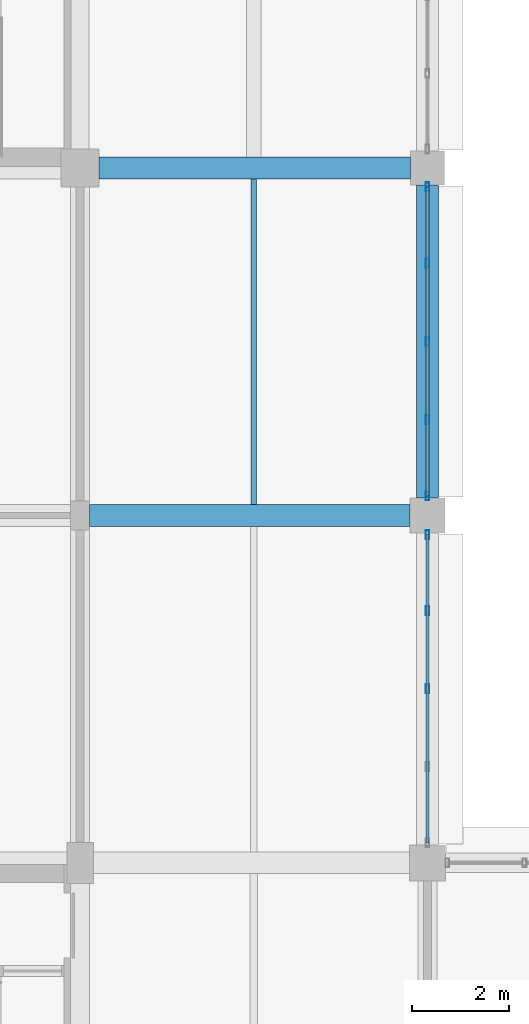
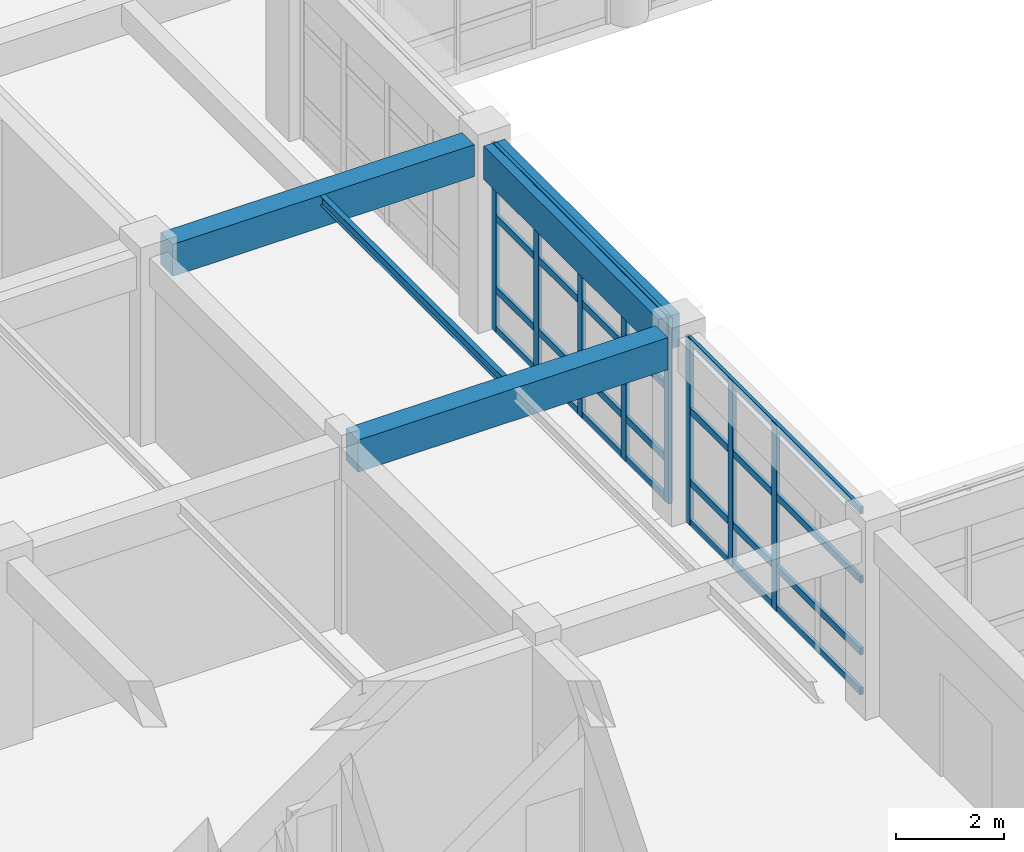
# One storey, part 20 of 171: 16 members, 4 beams, 2 elements without a shape of their own.
"""IFC4 building model written with IfcOpenShell, lengths in metres."""

from ifc_helpers import new_model, si_unit, direction, frame, origin, origin_2d, place, context, subcontext, project, spatial, rectangle, hollow_rectangle, i_section, extrude, material, material_profile, profile_set, type_object, element, aggregate, save


model = new_model("IFC4")

# Units and contexts
model_context = context("Model", 3, precision=1e-05, world=origin(), true_north=direction((0.0, 1.0)))
body_context = subcontext(model_context, "Body", "Model", "MODEL_VIEW")
ifc_project = project(units=[si_unit("LENGTHUNIT", "METRE"), si_unit("AREAUNIT", "SQUARE_METRE"), si_unit("VOLUMEUNIT", "CUBIC_METRE"), si_unit("PLANEANGLEUNIT", "RADIAN"), si_unit("MASSUNIT", "GRAM", prefix="KILO")], contexts=[model_context])

# Site, building, storey
site_placement = place(None, origin())
site = spatial("IfcSite", under=ifc_project, at=site_placement, CompositionType="ELEMENT")
building_placement = place(site_placement, origin())
building = spatial("IfcBuilding", under=site, at=building_placement, Name="Thalmaran Polytechnic", CompositionType="ELEMENT")
storey_placement = place(building_placement, frame((0.0, 0.0, 5.39990234375)))
storey = spatial("IfcBuildingStorey", under=building, at=storey_placement, Name="L01", CompositionType="ELEMENT", Elevation=5.39990234375)

# Beams
ifc_material_1 = material(Name="Concrete C40/50", Category="concrete")
ifc_material_profile_1 = material_profile(ifc_material_1, rectangle(XDim=0.449951171875, YDim=0.72509765625, at=origin_2d()), Name="RC 450x725")
ifc_profile_set_1 = profile_set([ifc_material_profile_1], Name="Concrete C40/50")
beam_type_1 = type_object("IfcBeamType", Name="BM-RC04", PredefinedType="BEAM", material=ifc_profile_set_1)
beam_1_placement = place(storey_placement, frame((14.60009765625, 36.0, 3.84765625), z_axis=(1.0, 0.0, 0.0), x_axis=(0.0, 1.0, 0.0)))
element("IfcBeam", 1, at=beam_1_placement, inside=storey, type_object=beam_type_1, Name="Grid Beam B04 L01 X(2,5)", PredefinedType="BEAM", context=body_context, shape_type="SweptSolid", body=[
    extrude(rectangle(XDim=0.449951171875, YDim=0.72509765625, at=origin_2d()), origin(), (0.0, 0.0, 1.0), 6.639892578125),
])
beam_2_placement = place(storey_placement, frame((14.7900390625, 43.199951171875, 3.84765625), z_axis=(1.0, 0.0, 0.0), x_axis=(0.0, 1.0, 0.0)))
element("IfcBeam", 2, at=beam_2_placement, inside=storey, type_object=beam_type_1, Name="Grid Beam B04 L01 X(2,6)", PredefinedType="BEAM", context=body_context, shape_type="SweptSolid", body=[
    extrude(rectangle(XDim=0.449951171875, YDim=0.72509765625, at=origin_2d()), origin(), (0.0, 0.0, 1.0), 6.4599609375),
])
ifc_material_2 = material(Name="Steel S355", Category="steel")
ifc_material_profile_2 = material_profile(ifc_material_2, i_section(OverallWidth=0.110107421875, OverallDepth=0.219970703125, WebThickness=0.005859375, FlangeThickness=0.00927734375, at=origin_2d()), Name="IPE 220")
ifc_profile_set_2 = profile_set([ifc_material_profile_2], Name="Steel S355")
beam_type_2 = type_object("IfcBeamType", Name="BM-SJ04", PredefinedType="JOIST", material=ifc_profile_set_2)
beam_3_placement = place(storey_placement, frame((18.0, 36.22509765625, 4.10009765625), z_axis=(0.0, 1.0, 0.0), x_axis=(-1.0, 0.0, 0.0)))
element("IfcBeam", 3, at=beam_3_placement, inside=storey, type_object=beam_type_2, Name="Secondary Floor Rib SJ04 L01 (2,5)", PredefinedType="JOIST", context=body_context, shape_type="SweptSolid", body=[
    extrude(i_section(OverallWidth=0.110107421875, OverallDepth=0.219970703125, WebThickness=0.005859375, FlangeThickness=0.00927734375, at=origin_2d()), origin(), (0.0, 0.0, 1.0), 6.75),
])
ifc_material_profile_3 = material_profile(ifc_material_1, rectangle(XDim=0.449951171875, YDim=0.7548828125, at=origin_2d()), Name="RC 450x755")
ifc_profile_set_3 = profile_set([ifc_material_profile_3], Name="Concrete C40/50")
beam_type_3 = type_object("IfcBeamType", Name="BM-SP02", PredefinedType="SPANDREL", material=ifc_profile_set_3)
beam_4_placement = place(storey_placement, frame((21.60009765625, 36.360107421875, 3.83251953125), z_axis=(0.0, 1.0, 0.0), x_axis=(-1.0, 0.0, 0.0)))
element("IfcBeam", 4, at=beam_4_placement, inside=storey, type_object=beam_type_3, Name="Grid Beam SP02 L01 Y(3,5)", PredefinedType="SPANDREL", context=body_context, shape_type="SweptSolid", body=[
    extrude(rectangle(XDim=0.449951171875, YDim=0.7548828125, at=origin_2d()), origin(), (0.0, 0.0, 1.0), 6.489990234375),
])

# Curtain wall, members
ifc_material_3 = material(Name="Aluminium 6063-T6", Category="aluminium")
curtain_wall_type = type_object("IfcCurtainWallType", Name="CW-UC02", PredefinedType="USERDEFINED", material=ifc_material_3)
curtain_wall_1_placement = place(storey_placement, origin())
curtain_wall_1 = element("IfcCurtainWall", 5, at=curtain_wall_1_placement, inside=storey, type_object=curtain_wall_type, Name="Curtain Wall CW-L01-159", ObjectType="UNITISED CURTAIN WALL", PredefinedType="USERDEFINED")
ifc_material_profile_4 = material_profile(ifc_material_3, hollow_rectangle(XDim=0.080078125, YDim=0.179931640625, WallThickness=0.0048828125, at=origin_2d()), Name="RHS 180x80x5.0")
ifc_profile_set_4 = profile_set([ifc_material_profile_4], Name="Aluminium 6063-T6")
member_type_1 = type_object("IfcMemberType", Name="CW-MUL1", PredefinedType="MULLION", material=ifc_profile_set_4)
member_1_placement = place(storey_placement, frame((21.60009765625, 42.81005859375, 0.0), z_axis=(0.0, 0.0, 1.0), x_axis=(1.0, 0.0, 0.0)))
member_1 = element("IfcMember", 6, at=member_1_placement, type_object=member_type_1, Name="CW-L01-159 Mullion 1", PredefinedType="MULLION", context=body_context, shape_type="SweptSolid", body=[
    extrude(hollow_rectangle(XDim=0.080078125, YDim=0.179931640625, WallThickness=0.0048828125, at=origin_2d()), origin(), (0.0, 0.0, 1.0), 4.210205078125),
])
member_2_placement = place(storey_placement, frame((21.60009765625, 41.2275390625, 0.0), z_axis=(0.0, 0.0, 1.0), x_axis=(1.0, 0.0, 0.0)))
member_2 = element("IfcMember", 7, at=member_2_placement, type_object=member_type_1, Name="CW-L01-159 Mullion 2", PredefinedType="MULLION", context=body_context, shape_type="SweptSolid", body=[
    extrude(hollow_rectangle(XDim=0.080078125, YDim=0.179931640625, WallThickness=0.0048828125, at=origin_2d()), origin(), (0.0, 0.0, 1.0), 4.210205078125),
])
member_3_placement = place(storey_placement, frame((21.60009765625, 39.60498046875, 0.0), z_axis=(0.0, 0.0, 1.0), x_axis=(1.0, 0.0, 0.0)))
member_3 = element("IfcMember", 8, at=member_3_placement, type_object=member_type_1, Name="CW-L01-159 Mullion 3", PredefinedType="MULLION", context=body_context, shape_type="SweptSolid", body=[
    extrude(hollow_rectangle(XDim=0.080078125, YDim=0.179931640625, WallThickness=0.0048828125, at=origin_2d()), origin(), (0.0, 0.0, 1.0), 4.210205078125),
])
member_4_placement = place(storey_placement, frame((21.60009765625, 37.982421875, 0.0), z_axis=(0.0, 0.0, 1.0), x_axis=(1.0, 0.0, 0.0)))
member_4 = element("IfcMember", 9, at=member_4_placement, type_object=member_type_1, Name="CW-L01-159 Mullion 4", PredefinedType="MULLION", context=body_context, shape_type="SweptSolid", body=[
    extrude(hollow_rectangle(XDim=0.080078125, YDim=0.179931640625, WallThickness=0.0048828125, at=origin_2d()), origin(), (0.0, 0.0, 1.0), 4.210205078125),
])
member_5_placement = place(storey_placement, frame((21.60009765625, 36.39990234375, 0.0), z_axis=(0.0, 0.0, 1.0), x_axis=(1.0, 0.0, 0.0)))
member_5 = element("IfcMember", 10, at=member_5_placement, type_object=member_type_1, Name="CW-L01-159 Mullion 5", PredefinedType="MULLION", context=body_context, shape_type="SweptSolid", body=[
    extrude(hollow_rectangle(XDim=0.080078125, YDim=0.179931640625, WallThickness=0.0048828125, at=origin_2d()), origin(), (0.0, 0.0, 1.0), 4.210205078125),
])

curtain_wall_2_placement = place(storey_placement, origin())
curtain_wall_2 = element("IfcCurtainWall", 11, at=curtain_wall_2_placement, inside=storey, type_object=curtain_wall_type, Name="Curtain Wall CW-L01-160", ObjectType="UNITISED CURTAIN WALL", PredefinedType="USERDEFINED")
member_6_placement = place(storey_placement, frame((21.60009765625, 35.60009765625, 0.0), z_axis=(0.0, 0.0, 1.0), x_axis=(1.0, 0.0, 0.0)))
member_6 = element("IfcMember", 12, at=member_6_placement, type_object=member_type_1, Name="CW-L01-160 Mullion 1", PredefinedType="MULLION", context=body_context, shape_type="SweptSolid", body=[
    extrude(hollow_rectangle(XDim=0.080078125, YDim=0.179931640625, WallThickness=0.0048828125, at=origin_2d()), origin(), (0.0, 0.0, 1.0), 4.210205078125),
])
member_7_placement = place(storey_placement, frame((21.60009765625, 34.023681640625, 0.0), z_axis=(0.0, 0.0, 1.0), x_axis=(1.0, 0.0, 0.0)))
member_7 = element("IfcMember", 13, at=member_7_placement, type_object=member_type_1, Name="CW-L01-160 Mullion 2", PredefinedType="MULLION", context=body_context, shape_type="SweptSolid", body=[
    extrude(hollow_rectangle(XDim=0.080078125, YDim=0.179931640625, WallThickness=0.0048828125, at=origin_2d()), origin(), (0.0, 0.0, 1.0), 4.210205078125),
])
member_8_placement = place(storey_placement, frame((21.60009765625, 32.407470703125, 0.0), z_axis=(0.0, 0.0, 1.0), x_axis=(1.0, 0.0, 0.0)))
member_8 = element("IfcMember", 14, at=member_8_placement, type_object=member_type_1, Name="CW-L01-160 Mullion 3", PredefinedType="MULLION", context=body_context, shape_type="SweptSolid", body=[
    extrude(hollow_rectangle(XDim=0.080078125, YDim=0.179931640625, WallThickness=0.0048828125, at=origin_2d()), origin(), (0.0, 0.0, 1.0), 4.210205078125),
])

# Member
ifc_material_profile_5 = material_profile(ifc_material_3, hollow_rectangle(XDim=0.070068359375, YDim=0.159912109375, WallThickness=0.00390625, at=origin_2d()), Name="AL 160x70x4.0")
ifc_profile_set_5 = profile_set([ifc_material_profile_5], Name="Aluminium 6063-T6")
member_type_2 = type_object("IfcMemberType", Name="CW-TRN1", PredefinedType="USERDEFINED", material=ifc_profile_set_5)
member_9_placement = place(storey_placement, frame((21.60009765625, 42.81005859375, 0.06005859375), z_axis=(0.0, -1.0, 0.0), x_axis=(1.0, 0.0, 0.0)))
member_9 = element("IfcMember", 15, at=member_9_placement, type_object=member_type_2, Name="CW-L01-159 Transom 1", ObjectType="TRANSOM", PredefinedType="USERDEFINED", context=body_context, shape_type="SweptSolid", body=[
    extrude(hollow_rectangle(XDim=0.070068359375, YDim=0.159912109375, WallThickness=0.00390625, at=origin_2d()), origin(), (0.0, 0.0, 1.0), 6.41015625),
])

member_10_placement = place(storey_placement, frame((21.60009765625, 42.81005859375, 0.960205078125), z_axis=(0.0, -1.0, 0.0), x_axis=(1.0, 0.0, 0.0)))
member_10 = element("IfcMember", 16, at=member_10_placement, type_object=member_type_2, Name="CW-L01-159 Transom 2", ObjectType="TRANSOM", PredefinedType="USERDEFINED", context=body_context, shape_type="SweptSolid", body=[
    extrude(hollow_rectangle(XDim=0.070068359375, YDim=0.159912109375, WallThickness=0.00390625, at=origin_2d()), origin(), (0.0, 0.0, 1.0), 6.41015625),
])

member_11_placement = place(storey_placement, frame((21.60009765625, 42.81005859375, 2.585205078125), z_axis=(0.0, -1.0, 0.0), x_axis=(1.0, 0.0, 0.0)))
member_11 = element("IfcMember", 17, at=member_11_placement, type_object=member_type_2, Name="CW-L01-159 Transom 3", ObjectType="TRANSOM", PredefinedType="USERDEFINED", context=body_context, shape_type="SweptSolid", body=[
    extrude(hollow_rectangle(XDim=0.070068359375, YDim=0.159912109375, WallThickness=0.00390625, at=origin_2d()), origin(), (0.0, 0.0, 1.0), 6.41015625),
])

member_12_placement = place(storey_placement, frame((21.60009765625, 42.81005859375, 4.150146484375), z_axis=(0.0, -1.0, 0.0), x_axis=(1.0, 0.0, 0.0)))
member_12 = element("IfcMember", 18, at=member_12_placement, type_object=member_type_2, Name="CW-L01-159 Transom 4", ObjectType="TRANSOM", PredefinedType="USERDEFINED", context=body_context, shape_type="SweptSolid", body=[
    extrude(hollow_rectangle(XDim=0.070068359375, YDim=0.159912109375, WallThickness=0.00390625, at=origin_2d()), origin(), (0.0, 0.0, 1.0), 6.41015625),
])

aggregate(curtain_wall_1, [member_1, member_2, member_3, member_4, member_5, member_9, member_10, member_11, member_12])

member_13_placement = place(storey_placement, frame((21.60009765625, 35.60009765625, 0.06005859375), z_axis=(0.0, -1.0, 0.0), x_axis=(1.0, 0.0, 0.0)))
member_13 = element("IfcMember", 19, at=member_13_placement, type_object=member_type_2, Name="CW-L01-160 Transom 1", ObjectType="TRANSOM", PredefinedType="USERDEFINED", context=body_context, shape_type="SweptSolid", body=[
    extrude(hollow_rectangle(XDim=0.070068359375, YDim=0.159912109375, WallThickness=0.00390625, at=origin_2d()), origin(), (0.0, 0.0, 1.0), 6.385009765625),
])

member_14_placement = place(storey_placement, frame((21.60009765625, 35.60009765625, 0.960205078125), z_axis=(0.0, -1.0, 0.0), x_axis=(1.0, 0.0, 0.0)))
member_14 = element("IfcMember", 20, at=member_14_placement, type_object=member_type_2, Name="CW-L01-160 Transom 2", ObjectType="TRANSOM", PredefinedType="USERDEFINED", context=body_context, shape_type="SweptSolid", body=[
    extrude(hollow_rectangle(XDim=0.070068359375, YDim=0.159912109375, WallThickness=0.00390625, at=origin_2d()), origin(), (0.0, 0.0, 1.0), 6.385009765625),
])

member_15_placement = place(storey_placement, frame((21.60009765625, 35.60009765625, 2.585205078125), z_axis=(0.0, -1.0, 0.0), x_axis=(1.0, 0.0, 0.0)))
member_15 = element("IfcMember", 21, at=member_15_placement, type_object=member_type_2, Name="CW-L01-160 Transom 3", ObjectType="TRANSOM", PredefinedType="USERDEFINED", context=body_context, shape_type="SweptSolid", body=[
    extrude(hollow_rectangle(XDim=0.070068359375, YDim=0.159912109375, WallThickness=0.00390625, at=origin_2d()), origin(), (0.0, 0.0, 1.0), 6.385009765625),
])

member_16_placement = place(storey_placement, frame((21.60009765625, 35.60009765625, 4.150146484375), z_axis=(0.0, -1.0, 0.0), x_axis=(1.0, 0.0, 0.0)))
member_16 = element("IfcMember", 22, at=member_16_placement, type_object=member_type_2, Name="CW-L01-160 Transom 4", ObjectType="TRANSOM", PredefinedType="USERDEFINED", context=body_context, shape_type="SweptSolid", body=[
    extrude(hollow_rectangle(XDim=0.070068359375, YDim=0.159912109375, WallThickness=0.00390625, at=origin_2d()), origin(), (0.0, 0.0, 1.0), 6.385009765625),
])

aggregate(curtain_wall_2, [member_6, member_7, member_8, member_13, member_14, member_15, member_16])

save(model, "model.ifc")
